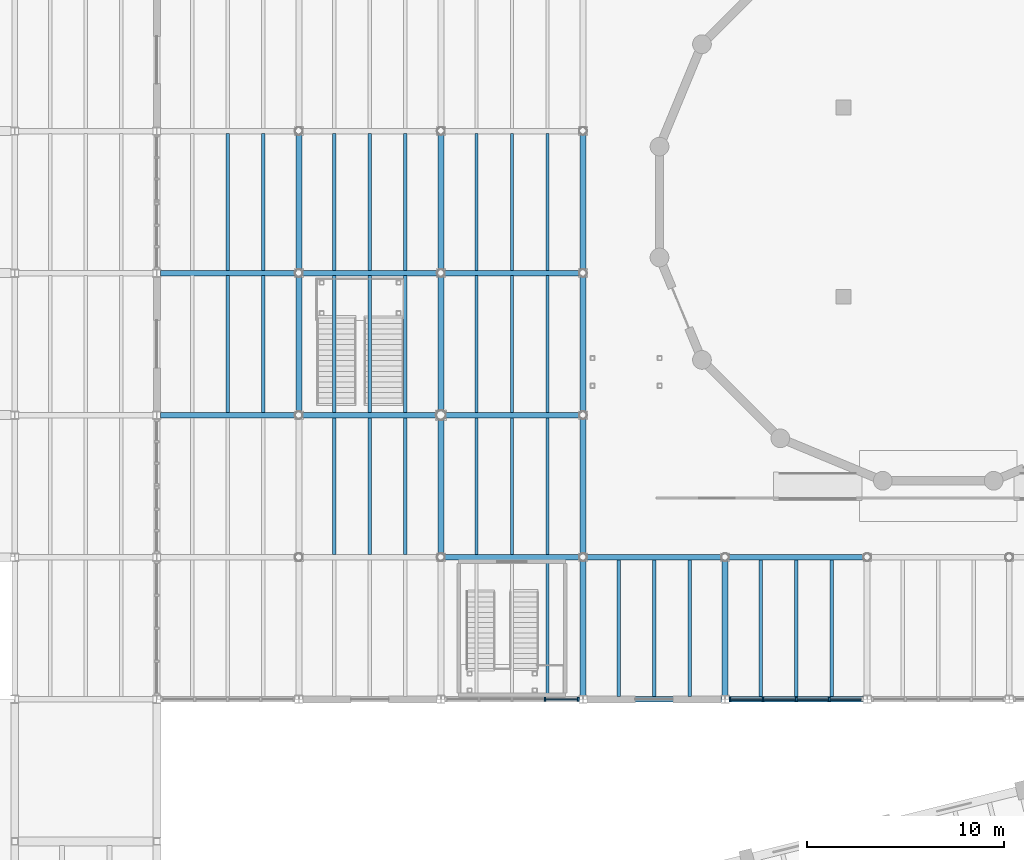
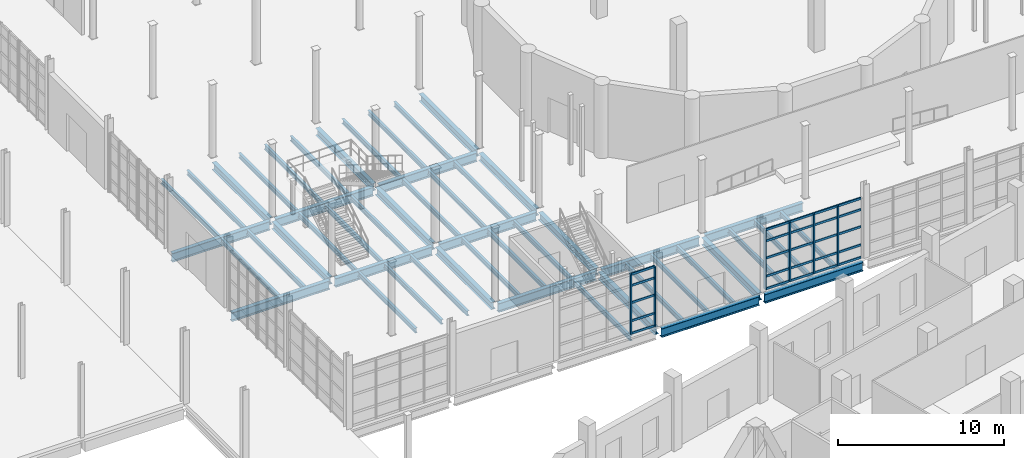
# One storey, part 23 of 79: 50 beams, 31 members, 2 elements without a shape of their own.
"""IFC4 building model written with IfcOpenShell, lengths in metres."""

from ifc_helpers import new_model, si_unit, direction, frame, origin, origin_2d, place, context, subcontext, project, spatial, rectangle, i_section, extrude, material, material_profile, profile_set, type_object, element, aggregate, save


model = new_model("IFC4")

# Units and contexts
model_context = context("Model", 3, precision=1e-05, world=origin(), true_north=direction((0.0, 1.0)))
body_context = subcontext(model_context, "Body", "Model", "MODEL_VIEW")
ifc_project = project(units=[si_unit("LENGTHUNIT", "METRE"), si_unit("AREAUNIT", "SQUARE_METRE"), si_unit("VOLUMEUNIT", "CUBIC_METRE"), si_unit("PLANEANGLEUNIT", "RADIAN"), si_unit("MASSUNIT", "GRAM", prefix="KILO")], contexts=[model_context])

# Site, building, storey
site_placement = place(None, origin())
site = spatial("IfcSite", under=ifc_project, at=site_placement, CompositionType="ELEMENT")
building_placement = place(site_placement, origin())
building = spatial("IfcBuilding", under=site, at=building_placement, Name="Qiaolan Assembly House", CompositionType="ELEMENT")
storey_placement = place(building_placement, origin())
storey = spatial("IfcBuildingStorey", under=building, at=storey_placement, Name="L00", CompositionType="ELEMENT", Elevation=0.0)

# Beams
ifc_material_1 = material(Name="Steel Q355B", Category="steel")
ifc_material_profile_1 = material_profile(ifc_material_1, i_section(OverallWidth=0.300048828125, OverallDepth=0.5400390625, WebThickness=0.010986328125, FlangeThickness=0.01806640625, FilletRadius=0.02001953125, at=origin_2d()), Name="HM 540x300x11x18")
ifc_profile_set_1 = profile_set([ifc_material_profile_1], Name="Steel Q355B")
beam_type_1 = type_object("IfcBeamType", Name="BM-STL-HM540", PredefinedType="BEAM", material=ifc_profile_set_1)
for number, where, z_axis, x_axis, name in (
    (1, (36.0, 50.59326171875, -0.570068359375), (0.0, 1.0, 0.0), (-1.0, 0.0, 0.0), "SB-12 beam BMY-HL-L00-02-02"),
    (2, (36.0, 57.793212890625, -0.570068359375), (0.0, 1.0, 0.0), (-1.0, 0.0, 0.0), "SB-12 beam BMY-HL-L00-02-03"),
):
    element("IfcBeam", number, at=place(storey_placement, frame(where, z_axis=z_axis, x_axis=x_axis)), inside=storey, type_object=beam_type_1, Name=name, PredefinedType="BEAM", context=body_context, shape_type="SweptSolid", body=[
        extrude(i_section(OverallWidth=0.300048828125, OverallDepth=0.5400390625, WebThickness=0.010986328125, FlangeThickness=0.01806640625, FilletRadius=0.02001953125, at=origin_2d()), origin(), (0.0, 0.0, 1.0), 6.8134765625),
    ])
for number, where, z_axis, x_axis, name in (
    (3, (43.199951171875, 43.393310546875, -0.570068359375), (0.0, 1.0, 0.0), (-1.0, 0.0, 0.0), "SB-12 beam BMY-HL-L00-03-01"),
    (4, (43.199951171875, 50.64404296875, -0.570068359375), (0.0, 1.0, 0.0), (-1.0, 0.0, 0.0), "SB-12 beam BMY-HL-L00-03-02"),
):
    element("IfcBeam", number, at=place(storey_placement, frame(where, z_axis=z_axis, x_axis=x_axis)), inside=storey, type_object=beam_type_1, Name=name, PredefinedType="BEAM", context=body_context, shape_type="SweptSolid", body=[
        extrude(i_section(OverallWidth=0.300048828125, OverallDepth=0.5400390625, WebThickness=0.010986328125, FlangeThickness=0.01806640625, FilletRadius=0.02001953125, at=origin_2d()), origin(), (0.0, 0.0, 1.0), 6.7626953125),
    ])
beam_1_placement = place(storey_placement, frame((43.199951171875, 57.793212890625, -0.570068359375), z_axis=(0.0, 1.0, 0.0), x_axis=(-1.0, 0.0, 0.0)))
element("IfcBeam", 5, at=beam_1_placement, inside=storey, type_object=beam_type_1, Name="SB-12 beam BMY-HL-L00-03-03", PredefinedType="BEAM", context=body_context, shape_type="SweptSolid", body=[
    extrude(i_section(OverallWidth=0.300048828125, OverallDepth=0.5400390625, WebThickness=0.010986328125, FlangeThickness=0.01806640625, FilletRadius=0.02001953125, at=origin_2d()), origin(), (0.0, 0.0, 1.0), 6.8134765625),
])
beam_2_placement = place(storey_placement, frame((50.39990234375, 36.18994140625, -0.570068359375), z_axis=(0.0, 1.0, 0.0), x_axis=(-1.0, 0.0, 0.0)))
element("IfcBeam", 6, at=beam_2_placement, inside=storey, type_object=beam_type_1, Name="SB-12 beam BMY-HL-L00-04-00", PredefinedType="BEAM", context=body_context, shape_type="SweptSolid", body=[
    extrude(i_section(OverallWidth=0.300048828125, OverallDepth=0.5400390625, WebThickness=0.010986328125, FlangeThickness=0.01806640625, FilletRadius=0.02001953125, at=origin_2d()), origin(), (0.0, 0.0, 1.0), 6.81689453125),
])
for number, where, z_axis, x_axis, name in (
    (7, (50.39990234375, 43.393310546875, -0.570068359375), (0.0, 1.0, 0.0), (-1.0, 0.0, 0.0), "SB-12 beam BMY-HL-L00-04-01"),
    (8, (50.39990234375, 50.59326171875, -0.570068359375), (0.0, 1.0, 0.0), (-1.0, 0.0, 0.0), "SB-12 beam BMY-HL-L00-04-02"),
    (9, (50.39990234375, 57.793212890625, -0.570068359375), (0.0, 1.0, 0.0), (-1.0, 0.0, 0.0), "SB-12 beam BMY-HL-L00-04-03"),
):
    element("IfcBeam", number, at=place(storey_placement, frame(where, z_axis=z_axis, x_axis=x_axis)), inside=storey, type_object=beam_type_1, Name=name, PredefinedType="BEAM", context=body_context, shape_type="SweptSolid", body=[
        extrude(i_section(OverallWidth=0.300048828125, OverallDepth=0.5400390625, WebThickness=0.010986328125, FlangeThickness=0.01806640625, FilletRadius=0.02001953125, at=origin_2d()), origin(), (0.0, 0.0, 1.0), 6.8134765625),
    ])
beam_3_placement = place(storey_placement, frame((57.60009765625, 36.18994140625, -0.570068359375), z_axis=(0.0, 1.0, 0.0), x_axis=(-1.0, 0.0, 0.0)))
element("IfcBeam", 10, at=beam_3_placement, inside=storey, type_object=beam_type_1, Name="SB-12 beam BMY-HL-L00-05-00", PredefinedType="BEAM", context=body_context, shape_type="SweptSolid", body=[
    extrude(i_section(OverallWidth=0.300048828125, OverallDepth=0.5400390625, WebThickness=0.010986328125, FlangeThickness=0.01806640625, FilletRadius=0.02001953125, at=origin_2d()), origin(), (0.0, 0.0, 1.0), 6.81689453125),
])
ifc_material_profile_2 = material_profile(ifc_material_1, i_section(OverallWidth=0.280029296875, OverallDepth=0.64990234375, WebThickness=0.011962890625, FlangeThickness=0.02197265625, FilletRadius=0.02197265625, at=origin_2d()), Name="HN 650x280x12x22")
ifc_profile_set_2 = profile_set([ifc_material_profile_2], Name="Steel Q355B")
beam_type_2 = type_object("IfcBeamType", Name="BM-STL-HN650", PredefinedType="BEAM", material=ifc_profile_set_2)
beam_4_placement = place(storey_placement, frame((50.590087890625, 36.0, -0.625), z_axis=(1.0, 0.0, 0.0), x_axis=(0.0, 1.0, 0.0)))
element("IfcBeam", 11, at=beam_4_placement, inside=storey, type_object=beam_type_2, Name="SB-10 beam BMX-HL-L00-04-00", PredefinedType="BEAM", context=body_context, shape_type="SweptSolid", body=[
    extrude(i_section(OverallWidth=0.280029296875, OverallDepth=0.64990234375, WebThickness=0.011962890625, FlangeThickness=0.02197265625, FilletRadius=0.02197265625, at=origin_2d()), origin(), (0.0, 0.0, 1.0), 6.81982421875),
])
beam_5_placement = place(storey_placement, frame((57.7900390625, 36.0, -0.625), z_axis=(1.0, 0.0, 0.0), x_axis=(0.0, 1.0, 0.0)))
element("IfcBeam", 12, at=beam_5_placement, inside=storey, type_object=beam_type_2, Name="SB-10 beam BMX-HL-L00-05-00", PredefinedType="BEAM", context=body_context, shape_type="SweptSolid", body=[
    extrude(i_section(OverallWidth=0.280029296875, OverallDepth=0.64990234375, WebThickness=0.011962890625, FlangeThickness=0.02197265625, FilletRadius=0.02197265625, at=origin_2d()), origin(), (0.0, 0.0, 1.0), 6.820068359375),
])
for number, where, z_axis, x_axis, name in (
    (13, (43.393310546875, 43.199951171875, -0.625), (1.0, 0.0, 0.0), (0.0, 1.0, 0.0), "SB-10 beam BMX-HL-L00-03-01"),
    (14, (50.59326171875, 43.199951171875, -0.625), (1.0, 0.0, 0.0), (0.0, 1.0, 0.0), "SB-10 beam BMX-HL-L00-04-01"),
    (15, (57.793212890625, 43.199951171875, -0.625), (1.0, 0.0, 0.0), (0.0, 1.0, 0.0), "SB-10 beam BMX-HL-L00-05-01"),
):
    element("IfcBeam", number, at=place(storey_placement, frame(where, z_axis=z_axis, x_axis=x_axis)), inside=storey, type_object=beam_type_2, Name=name, PredefinedType="BEAM", context=body_context, shape_type="SweptSolid", body=[
        extrude(i_section(OverallWidth=0.280029296875, OverallDepth=0.64990234375, WebThickness=0.011962890625, FlangeThickness=0.02197265625, FilletRadius=0.02197265625, at=origin_2d()), origin(), (0.0, 0.0, 1.0), 6.8134765625),
    ])
beam_6_placement = place(storey_placement, frame((28.989990234375, 50.39990234375, -0.625), z_axis=(1.0, 0.0, 0.0), x_axis=(0.0, 1.0, 0.0)))
element("IfcBeam", 16, at=beam_6_placement, inside=storey, type_object=beam_type_2, Name="SB-10 beam BMX-HL-L00-01-02", PredefinedType="BEAM", context=body_context, shape_type="SweptSolid", body=[
    extrude(i_section(OverallWidth=0.280029296875, OverallDepth=0.64990234375, WebThickness=0.011962890625, FlangeThickness=0.02197265625, FilletRadius=0.02197265625, at=origin_2d()), origin(), (0.0, 0.0, 1.0), 6.81689453125),
])
beam_7_placement = place(storey_placement, frame((36.193115234375, 50.39990234375, -0.625), z_axis=(1.0, 0.0, 0.0), x_axis=(0.0, 1.0, 0.0)))
element("IfcBeam", 17, at=beam_7_placement, inside=storey, type_object=beam_type_2, Name="SB-10 beam BMX-HL-L00-02-02", PredefinedType="BEAM", context=body_context, shape_type="SweptSolid", body=[
    extrude(i_section(OverallWidth=0.280029296875, OverallDepth=0.64990234375, WebThickness=0.011962890625, FlangeThickness=0.02197265625, FilletRadius=0.02197265625, at=origin_2d()), origin(), (0.0, 0.0, 1.0), 6.762939453125),
])
beam_8_placement = place(storey_placement, frame((43.444091796875, 50.39990234375, -0.625), z_axis=(1.0, 0.0, 0.0), x_axis=(0.0, 1.0, 0.0)))
element("IfcBeam", 18, at=beam_8_placement, inside=storey, type_object=beam_type_2, Name="SB-10 beam BMX-HL-L00-03-02", PredefinedType="BEAM", context=body_context, shape_type="SweptSolid", body=[
    extrude(i_section(OverallWidth=0.280029296875, OverallDepth=0.64990234375, WebThickness=0.011962890625, FlangeThickness=0.02197265625, FilletRadius=0.02197265625, at=origin_2d()), origin(), (0.0, 0.0, 1.0), 6.7626953125),
])
beam_9_placement = place(storey_placement, frame((28.989990234375, 57.60009765625, -0.625), z_axis=(1.0, 0.0, 0.0), x_axis=(0.0, 1.0, 0.0)))
element("IfcBeam", 19, at=beam_9_placement, inside=storey, type_object=beam_type_2, Name="SB-10 beam BMX-HL-L00-01-03", PredefinedType="BEAM", context=body_context, shape_type="SweptSolid", body=[
    extrude(i_section(OverallWidth=0.280029296875, OverallDepth=0.64990234375, WebThickness=0.011962890625, FlangeThickness=0.02197265625, FilletRadius=0.02197265625, at=origin_2d()), origin(), (0.0, 0.0, 1.0), 6.81689453125),
])
beam_10_placement = place(storey_placement, frame((36.193115234375, 57.60009765625, -0.625), z_axis=(1.0, 0.0, 0.0), x_axis=(0.0, 1.0, 0.0)))
element("IfcBeam", 20, at=beam_10_placement, inside=storey, type_object=beam_type_2, Name="SB-10 beam BMX-HL-L00-02-03", PredefinedType="BEAM", context=body_context, shape_type="SweptSolid", body=[
    extrude(i_section(OverallWidth=0.280029296875, OverallDepth=0.64990234375, WebThickness=0.011962890625, FlangeThickness=0.02197265625, FilletRadius=0.02197265625, at=origin_2d()), origin(), (0.0, 0.0, 1.0), 6.813720703125),
])
beam_11_placement = place(storey_placement, frame((43.393310546875, 57.60009765625, -0.625), z_axis=(1.0, 0.0, 0.0), x_axis=(0.0, 1.0, 0.0)))
element("IfcBeam", 21, at=beam_11_placement, inside=storey, type_object=beam_type_2, Name="SB-10 beam BMX-HL-L00-03-03", PredefinedType="BEAM", context=body_context, shape_type="SweptSolid", body=[
    extrude(i_section(OverallWidth=0.280029296875, OverallDepth=0.64990234375, WebThickness=0.011962890625, FlangeThickness=0.02197265625, FilletRadius=0.02197265625, at=origin_2d()), origin(), (0.0, 0.0, 1.0), 6.8134765625),
])

# Curtain wall, members
ifc_material_2 = material(Name="Anodised bronze aluminium", Category="aluminium")
curtain_wall_type = type_object("IfcCurtainWallType", Name="CW-HALL-MAIN-540", PredefinedType="NOTDEFINED", material=ifc_material_2)
curtain_wall_1_placement = place(storey_placement, origin())
curtain_wall_1 = element("IfcCurtainWall", 22, at=curtain_wall_1_placement, inside=storey, type_object=curtain_wall_type, Name="CW-01 Hall South plaza curtain wall L00-3", PredefinedType="NOTDEFINED")
ifc_material_profile_3 = material_profile(ifc_material_2, rectangle(XDim=0.092041015625, YDim=0.219970703125, at=origin_2d()), Name="MUL 92x220")
ifc_profile_set_3 = profile_set([ifc_material_profile_3], Name="Anodised bronze aluminium")
member_type_1 = type_object("IfcMemberType", Name="CW-HALL-MAIN-540-MUL", PredefinedType="MULLION", material=ifc_profile_set_3)
member_1_placement = place(storey_placement, frame((48.47509765625, 36.0, 0.0), z_axis=(0.0, 0.0, 1.0), x_axis=(1.0, 0.0, 0.0)))
member_1 = element("IfcMember", 23, at=member_1_placement, type_object=member_type_1, Name="ML-01 mullion CW-HALL-S-L00-02-4", PredefinedType="MULLION", context=body_context, shape_type="SweptSolid", body=[
    extrude(rectangle(XDim=0.092041015625, YDim=0.219970703125, at=origin_2d()), origin(), (0.0, 0.0, 1.0), 4.39990234375),
])
member_2_placement = place(storey_placement, frame((50.14990234375, 36.0, 0.0), z_axis=(0.0, 0.0, 1.0), x_axis=(1.0, 0.0, 0.0)))
member_2 = element("IfcMember", 24, at=member_2_placement, type_object=member_type_1, Name="ML-01 mullion CW-HALL-S-L00-02-5", PredefinedType="MULLION", context=body_context, shape_type="SweptSolid", body=[
    extrude(rectangle(XDim=0.092041015625, YDim=0.219970703125, at=origin_2d()), origin(), (0.0, 0.0, 1.0), 4.39990234375),
])

curtain_wall_2_placement = place(storey_placement, origin())
curtain_wall_2 = element("IfcCurtainWall", 25, at=curtain_wall_2_placement, inside=storey, type_object=curtain_wall_type, Name="CW-01 Hall South plaza curtain wall L00-5", PredefinedType="NOTDEFINED")
member_3_placement = place(storey_placement, frame((57.85009765625, 36.0, 0.0), z_axis=(0.0, 0.0, 1.0), x_axis=(1.0, 0.0, 0.0)))
member_3 = element("IfcMember", 26, at=member_3_placement, type_object=member_type_1, Name="ML-01 mullion CW-HALL-S-L00-04-1", PredefinedType="MULLION", context=body_context, shape_type="SweptSolid", body=[
    extrude(rectangle(XDim=0.092041015625, YDim=0.219970703125, at=origin_2d()), origin(), (0.0, 0.0, 1.0), 4.39990234375),
])
member_4_placement = place(storey_placement, frame((59.52490234375, 36.0, 0.0), z_axis=(0.0, 0.0, 1.0), x_axis=(1.0, 0.0, 0.0)))
member_4 = element("IfcMember", 27, at=member_4_placement, type_object=member_type_1, Name="ML-01 mullion CW-HALL-S-L00-04-2", PredefinedType="MULLION", context=body_context, shape_type="SweptSolid", body=[
    extrude(rectangle(XDim=0.092041015625, YDim=0.219970703125, at=origin_2d()), origin(), (0.0, 0.0, 1.0), 4.39990234375),
])
member_5_placement = place(storey_placement, frame((61.199951171875, 36.0, 0.0), z_axis=(0.0, 0.0, 1.0), x_axis=(1.0, 0.0, 0.0)))
member_5 = element("IfcMember", 28, at=member_5_placement, type_object=member_type_1, Name="ML-01 mullion CW-HALL-S-L00-04-3", PredefinedType="MULLION", context=body_context, shape_type="SweptSolid", body=[
    extrude(rectangle(XDim=0.092041015625, YDim=0.219970703125, at=origin_2d()), origin(), (0.0, 0.0, 1.0), 4.39990234375),
])
member_6_placement = place(storey_placement, frame((62.875, 36.0, 0.0), z_axis=(0.0, 0.0, 1.0), x_axis=(1.0, 0.0, 0.0)))
member_6 = element("IfcMember", 29, at=member_6_placement, type_object=member_type_1, Name="ML-01 mullion CW-HALL-S-L00-04-4", PredefinedType="MULLION", context=body_context, shape_type="SweptSolid", body=[
    extrude(rectangle(XDim=0.092041015625, YDim=0.219970703125, at=origin_2d()), origin(), (0.0, 0.0, 1.0), 4.39990234375),
])

# Member
ifc_material_profile_4 = material_profile(ifc_material_2, rectangle(XDim=0.08203125, YDim=0.159912109375, at=origin_2d()), Name="TRN 82x160")
ifc_profile_set_4 = profile_set([ifc_material_profile_4], Name="Anodised bronze aluminium")
member_type_2 = type_object("IfcMemberType", Name="CW-HALL-MAIN-540-TRN", PredefinedType="USERDEFINED", material=ifc_profile_set_4)
member_7_placement = place(storey_placement, frame((48.52099609375, 36.0, 0.030029296875), z_axis=(1.0, 0.0, 0.0), x_axis=(0.0, 1.0, 0.0)))
member_7 = element("IfcMember", 30, at=member_7_placement, type_object=member_type_2, Name="TR-01 transom CW-HALL-S-L00-02-4-1", ObjectType="TRANSOM", PredefinedType="USERDEFINED", context=body_context, shape_type="SweptSolid", body=[
    extrude(rectangle(XDim=0.08203125, YDim=0.159912109375, at=origin_2d()), origin(), (0.0, 0.0, 1.0), 1.5830078125),
])

member_8_placement = place(storey_placement, frame((48.52099609375, 36.0, 0.949951171875), z_axis=(1.0, 0.0, 0.0), x_axis=(0.0, 1.0, 0.0)))
member_8 = element("IfcMember", 31, at=member_8_placement, type_object=member_type_2, Name="TR-01 transom CW-HALL-S-L00-02-4-2", ObjectType="TRANSOM", PredefinedType="USERDEFINED", context=body_context, shape_type="SweptSolid", body=[
    extrude(rectangle(XDim=0.08203125, YDim=0.159912109375, at=origin_2d()), origin(), (0.0, 0.0, 1.0), 1.5830078125),
])

member_9_placement = place(storey_placement, frame((48.52099609375, 36.0, 2.2880859375), z_axis=(1.0, 0.0, 0.0), x_axis=(0.0, 1.0, 0.0)))
member_9 = element("IfcMember", 32, at=member_9_placement, type_object=member_type_2, Name="TR-01 transom CW-HALL-S-L00-02-4-3", ObjectType="TRANSOM", PredefinedType="USERDEFINED", context=body_context, shape_type="SweptSolid", body=[
    extrude(rectangle(XDim=0.08203125, YDim=0.159912109375, at=origin_2d()), origin(), (0.0, 0.0, 1.0), 1.5830078125),
])

member_10_placement = place(storey_placement, frame((48.52099609375, 36.0, 3.550048828125), z_axis=(1.0, 0.0, 0.0), x_axis=(0.0, 1.0, 0.0)))
member_10 = element("IfcMember", 33, at=member_10_placement, type_object=member_type_2, Name="TR-01 transom CW-HALL-S-L00-02-4-4", ObjectType="TRANSOM", PredefinedType="USERDEFINED", context=body_context, shape_type="SweptSolid", body=[
    extrude(rectangle(XDim=0.08203125, YDim=0.159912109375, at=origin_2d()), origin(), (0.0, 0.0, 1.0), 1.5830078125),
])

member_11_placement = place(storey_placement, frame((48.52099609375, 36.0, 4.3701171875), z_axis=(1.0, 0.0, 0.0), x_axis=(0.0, 1.0, 0.0)))
member_11 = element("IfcMember", 34, at=member_11_placement, type_object=member_type_2, Name="TR-01 transom CW-HALL-S-L00-02-4-5", ObjectType="TRANSOM", PredefinedType="USERDEFINED", context=body_context, shape_type="SweptSolid", body=[
    extrude(rectangle(XDim=0.08203125, YDim=0.159912109375, at=origin_2d()), origin(), (0.0, 0.0, 1.0), 1.5830078125),
])

aggregate(curtain_wall_1, [member_1, member_2, member_7, member_8, member_9, member_10, member_11])

member_12_placement = place(storey_placement, frame((57.89599609375, 36.0, 0.030029296875), z_axis=(1.0, 0.0, 0.0), x_axis=(0.0, 1.0, 0.0)))
member_12 = element("IfcMember", 35, at=member_12_placement, type_object=member_type_2, Name="TR-01 transom CW-HALL-S-L00-04-1-1", ObjectType="TRANSOM", PredefinedType="USERDEFINED", context=body_context, shape_type="SweptSolid", body=[
    extrude(rectangle(XDim=0.08203125, YDim=0.159912109375, at=origin_2d()), origin(), (0.0, 0.0, 1.0), 1.5830078125),
])

member_13_placement = place(storey_placement, frame((57.89599609375, 36.0, 0.949951171875), z_axis=(1.0, 0.0, 0.0), x_axis=(0.0, 1.0, 0.0)))
member_13 = element("IfcMember", 36, at=member_13_placement, type_object=member_type_2, Name="TR-01 transom CW-HALL-S-L00-04-1-2", ObjectType="TRANSOM", PredefinedType="USERDEFINED", context=body_context, shape_type="SweptSolid", body=[
    extrude(rectangle(XDim=0.08203125, YDim=0.159912109375, at=origin_2d()), origin(), (0.0, 0.0, 1.0), 1.5830078125),
])

member_14_placement = place(storey_placement, frame((57.89599609375, 36.0, 2.2880859375), z_axis=(1.0, 0.0, 0.0), x_axis=(0.0, 1.0, 0.0)))
member_14 = element("IfcMember", 37, at=member_14_placement, type_object=member_type_2, Name="TR-01 transom CW-HALL-S-L00-04-1-3", ObjectType="TRANSOM", PredefinedType="USERDEFINED", context=body_context, shape_type="SweptSolid", body=[
    extrude(rectangle(XDim=0.08203125, YDim=0.159912109375, at=origin_2d()), origin(), (0.0, 0.0, 1.0), 1.5830078125),
])

member_15_placement = place(storey_placement, frame((57.89599609375, 36.0, 3.550048828125), z_axis=(1.0, 0.0, 0.0), x_axis=(0.0, 1.0, 0.0)))
member_15 = element("IfcMember", 38, at=member_15_placement, type_object=member_type_2, Name="TR-01 transom CW-HALL-S-L00-04-1-4", ObjectType="TRANSOM", PredefinedType="USERDEFINED", context=body_context, shape_type="SweptSolid", body=[
    extrude(rectangle(XDim=0.08203125, YDim=0.159912109375, at=origin_2d()), origin(), (0.0, 0.0, 1.0), 1.5830078125),
])

member_16_placement = place(storey_placement, frame((57.89599609375, 36.0, 4.3701171875), z_axis=(1.0, 0.0, 0.0), x_axis=(0.0, 1.0, 0.0)))
member_16 = element("IfcMember", 39, at=member_16_placement, type_object=member_type_2, Name="TR-01 transom CW-HALL-S-L00-04-1-5", ObjectType="TRANSOM", PredefinedType="USERDEFINED", context=body_context, shape_type="SweptSolid", body=[
    extrude(rectangle(XDim=0.08203125, YDim=0.159912109375, at=origin_2d()), origin(), (0.0, 0.0, 1.0), 1.5830078125),
])

member_17_placement = place(storey_placement, frame((59.571044921875, 36.0, 0.030029296875), z_axis=(1.0, 0.0, 0.0), x_axis=(0.0, 1.0, 0.0)))
member_17 = element("IfcMember", 40, at=member_17_placement, type_object=member_type_2, Name="TR-01 transom CW-HALL-S-L00-04-2-1", ObjectType="TRANSOM", PredefinedType="USERDEFINED", context=body_context, shape_type="SweptSolid", body=[
    extrude(rectangle(XDim=0.08203125, YDim=0.159912109375, at=origin_2d()), origin(), (0.0, 0.0, 1.0), 1.5830078125),
])

member_18_placement = place(storey_placement, frame((59.571044921875, 36.0, 0.949951171875), z_axis=(1.0, 0.0, 0.0), x_axis=(0.0, 1.0, 0.0)))
member_18 = element("IfcMember", 41, at=member_18_placement, type_object=member_type_2, Name="TR-01 transom CW-HALL-S-L00-04-2-2", ObjectType="TRANSOM", PredefinedType="USERDEFINED", context=body_context, shape_type="SweptSolid", body=[
    extrude(rectangle(XDim=0.08203125, YDim=0.159912109375, at=origin_2d()), origin(), (0.0, 0.0, 1.0), 1.5830078125),
])

member_19_placement = place(storey_placement, frame((59.571044921875, 36.0, 2.2880859375), z_axis=(1.0, 0.0, 0.0), x_axis=(0.0, 1.0, 0.0)))
member_19 = element("IfcMember", 42, at=member_19_placement, type_object=member_type_2, Name="TR-01 transom CW-HALL-S-L00-04-2-3", ObjectType="TRANSOM", PredefinedType="USERDEFINED", context=body_context, shape_type="SweptSolid", body=[
    extrude(rectangle(XDim=0.08203125, YDim=0.159912109375, at=origin_2d()), origin(), (0.0, 0.0, 1.0), 1.5830078125),
])

member_20_placement = place(storey_placement, frame((59.571044921875, 36.0, 3.550048828125), z_axis=(1.0, 0.0, 0.0), x_axis=(0.0, 1.0, 0.0)))
member_20 = element("IfcMember", 43, at=member_20_placement, type_object=member_type_2, Name="TR-01 transom CW-HALL-S-L00-04-2-4", ObjectType="TRANSOM", PredefinedType="USERDEFINED", context=body_context, shape_type="SweptSolid", body=[
    extrude(rectangle(XDim=0.08203125, YDim=0.159912109375, at=origin_2d()), origin(), (0.0, 0.0, 1.0), 1.5830078125),
])

member_21_placement = place(storey_placement, frame((59.571044921875, 36.0, 4.3701171875), z_axis=(1.0, 0.0, 0.0), x_axis=(0.0, 1.0, 0.0)))
member_21 = element("IfcMember", 44, at=member_21_placement, type_object=member_type_2, Name="TR-01 transom CW-HALL-S-L00-04-2-5", ObjectType="TRANSOM", PredefinedType="USERDEFINED", context=body_context, shape_type="SweptSolid", body=[
    extrude(rectangle(XDim=0.08203125, YDim=0.159912109375, at=origin_2d()), origin(), (0.0, 0.0, 1.0), 1.5830078125),
])

member_22_placement = place(storey_placement, frame((61.24609375, 36.0, 0.030029296875), z_axis=(1.0, 0.0, 0.0), x_axis=(0.0, 1.0, 0.0)))
member_22 = element("IfcMember", 45, at=member_22_placement, type_object=member_type_2, Name="TR-01 transom CW-HALL-S-L00-04-3-1", ObjectType="TRANSOM", PredefinedType="USERDEFINED", context=body_context, shape_type="SweptSolid", body=[
    extrude(rectangle(XDim=0.08203125, YDim=0.159912109375, at=origin_2d()), origin(), (0.0, 0.0, 1.0), 1.5830078125),
])

member_23_placement = place(storey_placement, frame((61.24609375, 36.0, 0.949951171875), z_axis=(1.0, 0.0, 0.0), x_axis=(0.0, 1.0, 0.0)))
member_23 = element("IfcMember", 46, at=member_23_placement, type_object=member_type_2, Name="TR-01 transom CW-HALL-S-L00-04-3-2", ObjectType="TRANSOM", PredefinedType="USERDEFINED", context=body_context, shape_type="SweptSolid", body=[
    extrude(rectangle(XDim=0.08203125, YDim=0.159912109375, at=origin_2d()), origin(), (0.0, 0.0, 1.0), 1.5830078125),
])

member_24_placement = place(storey_placement, frame((61.24609375, 36.0, 2.2880859375), z_axis=(1.0, 0.0, 0.0), x_axis=(0.0, 1.0, 0.0)))
member_24 = element("IfcMember", 47, at=member_24_placement, type_object=member_type_2, Name="TR-01 transom CW-HALL-S-L00-04-3-3", ObjectType="TRANSOM", PredefinedType="USERDEFINED", context=body_context, shape_type="SweptSolid", body=[
    extrude(rectangle(XDim=0.08203125, YDim=0.159912109375, at=origin_2d()), origin(), (0.0, 0.0, 1.0), 1.5830078125),
])

member_25_placement = place(storey_placement, frame((61.24609375, 36.0, 3.550048828125), z_axis=(1.0, 0.0, 0.0), x_axis=(0.0, 1.0, 0.0)))
member_25 = element("IfcMember", 48, at=member_25_placement, type_object=member_type_2, Name="TR-01 transom CW-HALL-S-L00-04-3-4", ObjectType="TRANSOM", PredefinedType="USERDEFINED", context=body_context, shape_type="SweptSolid", body=[
    extrude(rectangle(XDim=0.08203125, YDim=0.159912109375, at=origin_2d()), origin(), (0.0, 0.0, 1.0), 1.5830078125),
])

member_26_placement = place(storey_placement, frame((61.24609375, 36.0, 4.3701171875), z_axis=(1.0, 0.0, 0.0), x_axis=(0.0, 1.0, 0.0)))
member_26 = element("IfcMember", 49, at=member_26_placement, type_object=member_type_2, Name="TR-01 transom CW-HALL-S-L00-04-3-5", ObjectType="TRANSOM", PredefinedType="USERDEFINED", context=body_context, shape_type="SweptSolid", body=[
    extrude(rectangle(XDim=0.08203125, YDim=0.159912109375, at=origin_2d()), origin(), (0.0, 0.0, 1.0), 1.5830078125),
])

member_27_placement = place(storey_placement, frame((62.9208984375, 36.0, 0.030029296875), z_axis=(1.0, 0.0, 0.0), x_axis=(0.0, 1.0, 0.0)))
member_27 = element("IfcMember", 50, at=member_27_placement, type_object=member_type_2, Name="TR-01 transom CW-HALL-S-L00-04-4-1", ObjectType="TRANSOM", PredefinedType="USERDEFINED", context=body_context, shape_type="SweptSolid", body=[
    extrude(rectangle(XDim=0.08203125, YDim=0.159912109375, at=origin_2d()), origin(), (0.0, 0.0, 1.0), 1.5830078125),
])

member_28_placement = place(storey_placement, frame((62.9208984375, 36.0, 0.949951171875), z_axis=(1.0, 0.0, 0.0), x_axis=(0.0, 1.0, 0.0)))
member_28 = element("IfcMember", 51, at=member_28_placement, type_object=member_type_2, Name="TR-01 transom CW-HALL-S-L00-04-4-2", ObjectType="TRANSOM", PredefinedType="USERDEFINED", context=body_context, shape_type="SweptSolid", body=[
    extrude(rectangle(XDim=0.08203125, YDim=0.159912109375, at=origin_2d()), origin(), (0.0, 0.0, 1.0), 1.5830078125),
])

member_29_placement = place(storey_placement, frame((62.9208984375, 36.0, 2.2880859375), z_axis=(1.0, 0.0, 0.0), x_axis=(0.0, 1.0, 0.0)))
member_29 = element("IfcMember", 52, at=member_29_placement, type_object=member_type_2, Name="TR-01 transom CW-HALL-S-L00-04-4-3", ObjectType="TRANSOM", PredefinedType="USERDEFINED", context=body_context, shape_type="SweptSolid", body=[
    extrude(rectangle(XDim=0.08203125, YDim=0.159912109375, at=origin_2d()), origin(), (0.0, 0.0, 1.0), 1.5830078125),
])

member_30_placement = place(storey_placement, frame((62.9208984375, 36.0, 3.550048828125), z_axis=(1.0, 0.0, 0.0), x_axis=(0.0, 1.0, 0.0)))
member_30 = element("IfcMember", 53, at=member_30_placement, type_object=member_type_2, Name="TR-01 transom CW-HALL-S-L00-04-4-4", ObjectType="TRANSOM", PredefinedType="USERDEFINED", context=body_context, shape_type="SweptSolid", body=[
    extrude(rectangle(XDim=0.08203125, YDim=0.159912109375, at=origin_2d()), origin(), (0.0, 0.0, 1.0), 1.5830078125),
])

member_31_placement = place(storey_placement, frame((62.9208984375, 36.0, 4.3701171875), z_axis=(1.0, 0.0, 0.0), x_axis=(0.0, 1.0, 0.0)))
member_31 = element("IfcMember", 54, at=member_31_placement, type_object=member_type_2, Name="TR-01 transom CW-HALL-S-L00-04-4-5", ObjectType="TRANSOM", PredefinedType="USERDEFINED", context=body_context, shape_type="SweptSolid", body=[
    extrude(rectangle(XDim=0.08203125, YDim=0.159912109375, at=origin_2d()), origin(), (0.0, 0.0, 1.0), 1.5830078125),
])

aggregate(curtain_wall_2, [member_3, member_4, member_5, member_6, member_12, member_13, member_14, member_15, member_16, member_17, member_18, member_19, member_20, member_21, member_22, member_23, member_24, member_25, member_26, member_27, member_28, member_29, member_30, member_31])

# Beams
ifc_material_profile_5 = material_profile(ifc_material_1, i_section(OverallWidth=0.175048828125, OverallDepth=0.35009765625, WebThickness=0.007080078125, FlangeThickness=0.010986328125, FilletRadius=0.013916015625, at=origin_2d()), Name="HN 350x175x7x11")
ifc_profile_set_5 = profile_set([ifc_material_profile_5], Name="Steel Q355B")
beam_type_3 = type_object("IfcBeamType", Name="JST-STL-HN350", PredefinedType="JOIST", material=ifc_profile_set_5)
for number, where, z_axis, x_axis, name in (
    (55, (32.39990234375, 50.533935546875, -0.47509765625), (0.0, 1.0, 0.0), (-1.0, 0.0, 0.0), "SJ-01 beam JST-HL-L00-01-02-2"),
    (56, (34.199951171875, 50.533935546875, -0.47509765625), (0.0, 1.0, 0.0), (-1.0, 0.0, 0.0), "SJ-01 beam JST-HL-L00-01-02-3"),
    (57, (32.39990234375, 57.73388671875, -0.47509765625), (0.0, 1.0, 0.0), (-1.0, 0.0, 0.0), "SJ-01 beam JST-HL-L00-01-03-2"),
    (58, (34.199951171875, 57.73388671875, -0.47509765625), (0.0, 1.0, 0.0), (-1.0, 0.0, 0.0), "SJ-01 beam JST-HL-L00-01-03-3"),
    (59, (37.800048828125, 43.333984375, -0.47509765625), (0.0, 1.0, 0.0), (-1.0, 0.0, 0.0), "SJ-01 beam JST-HL-L00-02-01-1"),
    (60, (39.60009765625, 43.333984375, -0.47509765625), (0.0, 1.0, 0.0), (-1.0, 0.0, 0.0), "SJ-01 beam JST-HL-L00-02-01-2"),
    (61, (41.39990234375, 43.333984375, -0.47509765625), (0.0, 1.0, 0.0), (-1.0, 0.0, 0.0), "SJ-01 beam JST-HL-L00-02-01-3"),
    (62, (37.800048828125, 50.533935546875, -0.47509765625), (0.0, 1.0, 0.0), (-1.0, 0.0, 0.0), "SJ-01 beam JST-HL-L00-02-02-1"),
    (63, (39.60009765625, 50.533935546875, -0.47509765625), (0.0, 1.0, 0.0), (-1.0, 0.0, 0.0), "SJ-01 beam JST-HL-L00-02-02-2"),
    (64, (41.39990234375, 50.533935546875, -0.47509765625), (0.0, 1.0, 0.0), (-1.0, 0.0, 0.0), "SJ-01 beam JST-HL-L00-02-02-3"),
    (65, (37.800048828125, 57.73388671875, -0.47509765625), (0.0, 1.0, 0.0), (-1.0, 0.0, 0.0), "SJ-01 beam JST-HL-L00-02-03-1"),
    (66, (39.60009765625, 57.73388671875, -0.47509765625), (0.0, 1.0, 0.0), (-1.0, 0.0, 0.0), "SJ-01 beam JST-HL-L00-02-03-2"),
    (67, (41.39990234375, 57.73388671875, -0.47509765625), (0.0, 1.0, 0.0), (-1.0, 0.0, 0.0), "SJ-01 beam JST-HL-L00-02-03-3"),
):
    element("IfcBeam", number, at=place(storey_placement, frame(where, z_axis=z_axis, x_axis=x_axis)), inside=storey, type_object=beam_type_3, Name=name, PredefinedType="JOIST", context=body_context, shape_type="SweptSolid", body=[
        extrude(i_section(OverallWidth=0.175048828125, OverallDepth=0.35009765625, WebThickness=0.007080078125, FlangeThickness=0.010986328125, FilletRadius=0.013916015625, at=origin_2d()), origin(), (0.0, 0.0, 1.0), 6.93212890625),
    ])
beam_12_placement = place(storey_placement, frame((48.60009765625, 36.134033203125, -0.47509765625), z_axis=(0.0, 1.0, 0.0), x_axis=(-1.0, 0.0, 0.0)))
element("IfcBeam", 68, at=beam_12_placement, inside=storey, type_object=beam_type_3, Name="SJ-01 beam JST-HL-L00-03-00-3", PredefinedType="JOIST", context=body_context, shape_type="SweptSolid", body=[
    extrude(i_section(OverallWidth=0.175048828125, OverallDepth=0.35009765625, WebThickness=0.007080078125, FlangeThickness=0.010986328125, FilletRadius=0.013916015625, at=origin_2d()), origin(), (0.0, 0.0, 1.0), 6.931884765625),
])
for number, where, z_axis, x_axis, name in (
    (69, (45.0, 43.333984375, -0.47509765625), (0.0, 1.0, 0.0), (-1.0, 0.0, 0.0), "SJ-01 beam JST-HL-L00-03-01-1"),
    (70, (46.800048828125, 43.333984375, -0.47509765625), (0.0, 1.0, 0.0), (-1.0, 0.0, 0.0), "SJ-01 beam JST-HL-L00-03-01-2"),
    (71, (48.60009765625, 43.333984375, -0.47509765625), (0.0, 1.0, 0.0), (-1.0, 0.0, 0.0), "SJ-01 beam JST-HL-L00-03-01-3"),
    (72, (45.0, 50.533935546875, -0.47509765625), (0.0, 1.0, 0.0), (-1.0, 0.0, 0.0), "SJ-01 beam JST-HL-L00-03-02-1"),
    (73, (46.800048828125, 50.533935546875, -0.47509765625), (0.0, 1.0, 0.0), (-1.0, 0.0, 0.0), "SJ-01 beam JST-HL-L00-03-02-2"),
    (74, (48.60009765625, 50.533935546875, -0.47509765625), (0.0, 1.0, 0.0), (-1.0, 0.0, 0.0), "SJ-01 beam JST-HL-L00-03-02-3"),
    (75, (45.0, 57.73388671875, -0.47509765625), (0.0, 1.0, 0.0), (-1.0, 0.0, 0.0), "SJ-01 beam JST-HL-L00-03-03-1"),
    (76, (46.800048828125, 57.73388671875, -0.47509765625), (0.0, 1.0, 0.0), (-1.0, 0.0, 0.0), "SJ-01 beam JST-HL-L00-03-03-2"),
    (77, (48.60009765625, 57.73388671875, -0.47509765625), (0.0, 1.0, 0.0), (-1.0, 0.0, 0.0), "SJ-01 beam JST-HL-L00-03-03-3"),
):
    element("IfcBeam", number, at=place(storey_placement, frame(where, z_axis=z_axis, x_axis=x_axis)), inside=storey, type_object=beam_type_3, Name=name, PredefinedType="JOIST", context=body_context, shape_type="SweptSolid", body=[
        extrude(i_section(OverallWidth=0.175048828125, OverallDepth=0.35009765625, WebThickness=0.007080078125, FlangeThickness=0.010986328125, FilletRadius=0.013916015625, at=origin_2d()), origin(), (0.0, 0.0, 1.0), 6.93212890625),
    ])
for number, where, z_axis, x_axis, name in (
    (78, (52.199951171875, 36.134033203125, -0.47509765625), (0.0, 1.0, 0.0), (-1.0, 0.0, 0.0), "SJ-01 beam JST-HL-L00-04-00-1"),
    (79, (54.0, 36.134033203125, -0.47509765625), (0.0, 1.0, 0.0), (-1.0, 0.0, 0.0), "SJ-01 beam JST-HL-L00-04-00-2"),
    (80, (55.800048828125, 36.134033203125, -0.47509765625), (0.0, 1.0, 0.0), (-1.0, 0.0, 0.0), "SJ-01 beam JST-HL-L00-04-00-3"),
    (81, (59.39990234375, 36.134033203125, -0.47509765625), (0.0, 1.0, 0.0), (-1.0, 0.0, 0.0), "SJ-01 beam JST-HL-L00-05-00-1"),
    (82, (61.199951171875, 36.134033203125, -0.47509765625), (0.0, 1.0, 0.0), (-1.0, 0.0, 0.0), "SJ-01 beam JST-HL-L00-05-00-2"),
    (83, (63.0, 36.134033203125, -0.47509765625), (0.0, 1.0, 0.0), (-1.0, 0.0, 0.0), "SJ-01 beam JST-HL-L00-05-00-3"),
):
    element("IfcBeam", number, at=place(storey_placement, frame(where, z_axis=z_axis, x_axis=x_axis)), inside=storey, type_object=beam_type_3, Name=name, PredefinedType="JOIST", context=body_context, shape_type="SweptSolid", body=[
        extrude(i_section(OverallWidth=0.175048828125, OverallDepth=0.35009765625, WebThickness=0.007080078125, FlangeThickness=0.010986328125, FilletRadius=0.013916015625, at=origin_2d()), origin(), (0.0, 0.0, 1.0), 6.931884765625),
    ])

save(model, "model.ifc")
